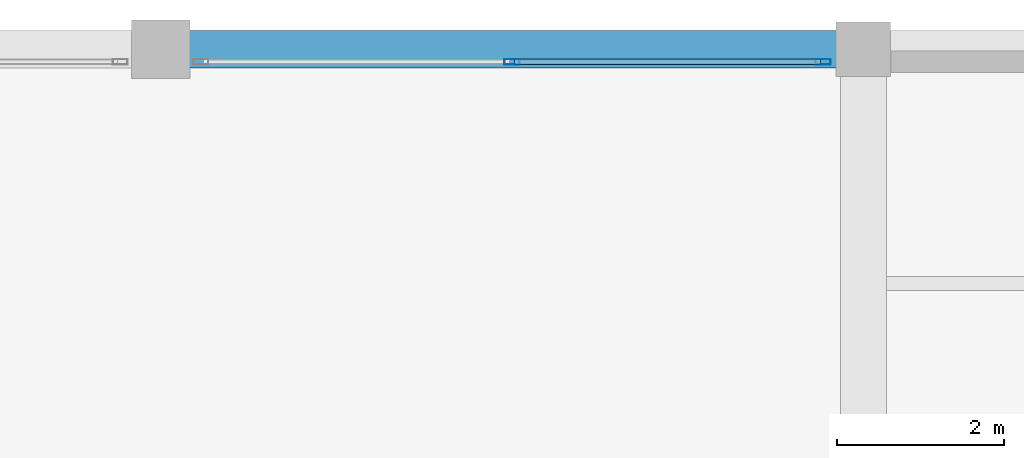
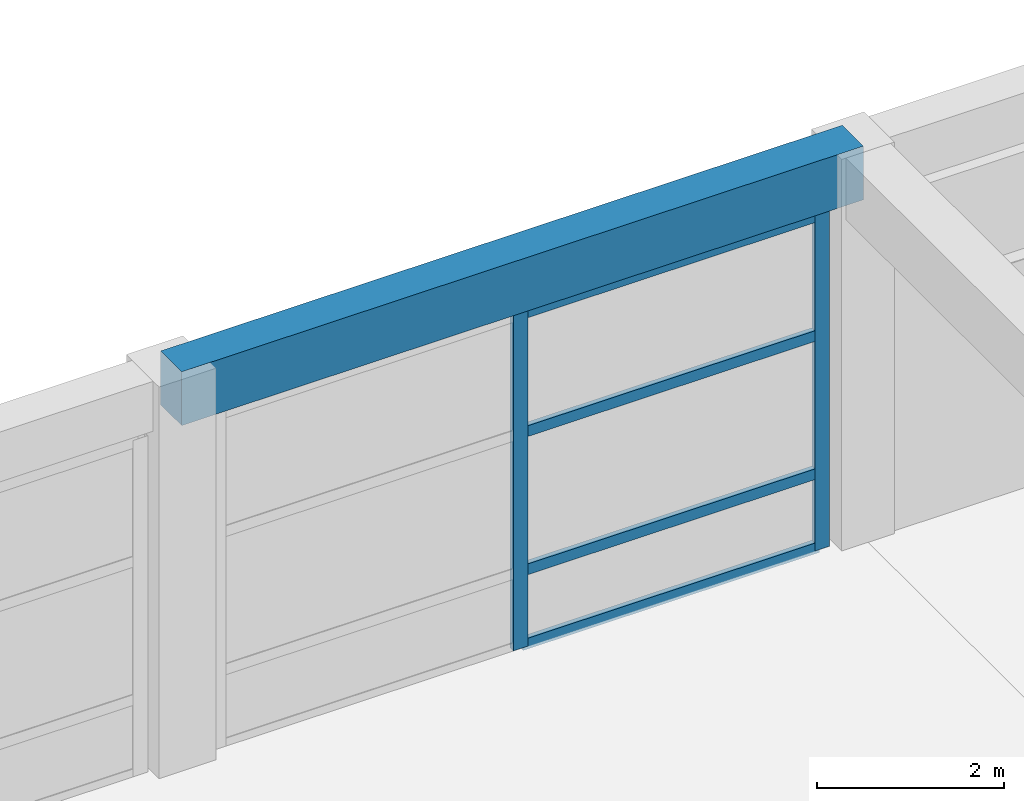
# One storey, part 46 of 95: 6 members, 1 beam, 1 element without a shape of its own.
"""IFC4 building model written with IfcOpenShell, lengths in metres."""

from ifc_helpers import new_model, si_unit, direction, frame, origin, origin_2d, place, context, subcontext, project, spatial, rectangle, hollow_rectangle, extrude, material, material_profile, profile_set, type_object, element, aggregate, save


model = new_model("IFC4")

# Units and contexts
model_context = context("Model", 3, precision=1e-05, world=origin(), true_north=direction((0.0, 1.0)))
body_context = subcontext(model_context, "Body", "Model", "MODEL_VIEW")
ifc_project = project(units=[si_unit("LENGTHUNIT", "METRE"), si_unit("AREAUNIT", "SQUARE_METRE"), si_unit("VOLUMEUNIT", "CUBIC_METRE"), si_unit("PLANEANGLEUNIT", "RADIAN"), si_unit("MASSUNIT", "GRAM", prefix="KILO")], contexts=[model_context])

# Site, building, storey
site_placement = place(None, origin())
site = spatial("IfcSite", under=ifc_project, at=site_placement, CompositionType="ELEMENT")
building_placement = place(site_placement, origin())
building = spatial("IfcBuilding", under=site, at=building_placement, Name="Almacenes y Pasaje Nevantli", CompositionType="ELEMENT")
storey_placement = place(building_placement, frame((0.0, 0.0, 11.39990234375)))
storey = spatial("IfcBuildingStorey", under=building, at=storey_placement, Name="L03", CompositionType="ELEMENT", Elevation=11.39990234375)

# Beam
ifc_material_1 = material(Name="Concrete C35/45", Category="concrete")
ifc_material_profile_1 = material_profile(ifc_material_1, rectangle(XDim=0.449951171875, YDim=0.699951171875, at=origin_2d()), Name="RC-BM-450x700")
ifc_profile_set_1 = profile_set([ifc_material_profile_1], Name="Concrete C35/45")
beam_type = type_object("IfcBeamType", Name="BM-RC-450x700", PredefinedType="SPANDREL", material=ifc_profile_set_1)
beam_placement = place(storey_placement, frame((84.0, 117.60009765625, 4.75), z_axis=(1.0, 0.0, 0.0), x_axis=(0.0, 1.0, 0.0)))
element("IfcBeam", 1, at=beam_placement, inside=storey, type_object=beam_type, Name="L03 East-West Reinforced Concrete Beam #2470", PredefinedType="SPANDREL", context=body_context, shape_type="SweptSolid", body=[
    extrude(rectangle(XDim=0.449951171875, YDim=0.699951171875, at=origin_2d()), origin(), (0.0, 0.0, 1.0), 8.39990234375),
])

# Curtain wall, members
ifc_material_2 = material(Name="Thermally Broken Aluminium and Low-E Glass", Category="aluminium")
curtain_wall_type = type_object("IfcCurtainWallType", Name="CW-STF-ARCADE", PredefinedType="USERDEFINED", material=ifc_material_2)
curtain_wall_placement = place(storey_placement, origin())
curtain_wall = element("IfcCurtainWall", 2, at=curtain_wall_placement, inside=storey, type_object=curtain_wall_type, Name="L03 North Arcade Monumental Portal Curtain Wall Bay 11", ObjectType="STOREFRONT GLAZING", PredefinedType="USERDEFINED")
ifc_material_3 = material(Name="Thermally Broken Anodized Aluminium", Category="aluminium")
ifc_material_profile_2 = material_profile(ifc_material_3, hollow_rectangle(XDim=0.06494140625, YDim=0.179931640625, WallThickness=0.00390625, at=origin_2d()), Name="ALU-MUL-65x180")
ifc_profile_set_2 = profile_set([ifc_material_profile_2], Name="Thermally Broken Anodized Aluminium")
member_type_1 = type_object("IfcMemberType", Name="CW-MUL-200", PredefinedType="MULLION", material=ifc_profile_set_2)
member_1_placement = place(storey_placement, frame((88.199951171875, 117.449951171875, 0.0), z_axis=(0.0, 0.0, 1.0), x_axis=(0.0, 1.0, 0.0)))
member_1 = element("IfcMember", 3, at=member_1_placement, type_object=member_type_1, Name="CW-L03-040 mullion 2", PredefinedType="MULLION", context=body_context, shape_type="SweptSolid", body=[
    extrude(hollow_rectangle(XDim=0.06494140625, YDim=0.179931640625, WallThickness=0.00390625, at=origin_2d()), origin(), (0.0, 0.0, 1.0), 4.380126953125),
])
member_2_placement = place(storey_placement, frame((91.91748046875, 117.449951171875, 0.0), z_axis=(0.0, 0.0, 1.0), x_axis=(0.0, 1.0, 0.0)))
member_2 = element("IfcMember", 4, at=member_2_placement, type_object=member_type_1, Name="CW-L03-040 mullion 3", PredefinedType="MULLION", context=body_context, shape_type="SweptSolid", body=[
    extrude(hollow_rectangle(XDim=0.06494140625, YDim=0.179931640625, WallThickness=0.00390625, at=origin_2d()), origin(), (0.0, 0.0, 1.0), 4.380126953125),
])
ifc_material_4 = material(Name="Thermally Broken Anodized Aluminium", Category="aluminium")
ifc_material_profile_3 = material_profile(ifc_material_4, hollow_rectangle(XDim=0.06494140625, YDim=0.139892578125, WallThickness=0.00390625, at=origin_2d()), Name="ALU-TRN-65x140")
ifc_profile_set_3 = profile_set([ifc_material_profile_3], Name="Thermally Broken Anodized Aluminium")
member_type_2 = type_object("IfcMemberType", Name="CW-TRN-150", PredefinedType="USERDEFINED", material=ifc_profile_set_3)
member_3_placement = place(storey_placement, frame((88.232421875, 117.449951171875, 0.03271484375), z_axis=(1.0, 0.0, 0.0), x_axis=(0.0, 1.0, 0.0)))
member_3 = element("IfcMember", 5, at=member_3_placement, type_object=member_type_2, Name="CW-L03-040 transom 2.1", ObjectType="TRANSOM", PredefinedType="USERDEFINED", context=body_context, shape_type="SweptSolid", body=[
    extrude(hollow_rectangle(XDim=0.06494140625, YDim=0.139892578125, WallThickness=0.00390625, at=origin_2d()), origin(), (0.0, 0.0, 1.0), 3.652587890625),
])
member_4_placement = place(storey_placement, frame((88.232421875, 117.449951171875, 1.0), z_axis=(1.0, 0.0, 0.0), x_axis=(0.0, 1.0, 0.0)))
member_4 = element("IfcMember", 6, at=member_4_placement, type_object=member_type_2, Name="CW-L03-040 transom 2.2", ObjectType="TRANSOM", PredefinedType="USERDEFINED", context=body_context, shape_type="SweptSolid", body=[
    extrude(hollow_rectangle(XDim=0.06494140625, YDim=0.139892578125, WallThickness=0.00390625, at=origin_2d()), origin(), (0.0, 0.0, 1.0), 3.652587890625),
])
member_5_placement = place(storey_placement, frame((88.232421875, 117.449951171875, 2.800048828125), z_axis=(1.0, 0.0, 0.0), x_axis=(0.0, 1.0, 0.0)))
member_5 = element("IfcMember", 7, at=member_5_placement, type_object=member_type_2, Name="CW-L03-040 transom 2.3", ObjectType="TRANSOM", PredefinedType="USERDEFINED", context=body_context, shape_type="SweptSolid", body=[
    extrude(hollow_rectangle(XDim=0.06494140625, YDim=0.139892578125, WallThickness=0.00390625, at=origin_2d()), origin(), (0.0, 0.0, 1.0), 3.652587890625),
])
member_6_placement = place(storey_placement, frame((88.232421875, 117.449951171875, 4.34765625), z_axis=(1.0, 0.0, 0.0), x_axis=(0.0, 1.0, 0.0)))
member_6 = element("IfcMember", 8, at=member_6_placement, type_object=member_type_2, Name="CW-L03-040 transom 2.4", ObjectType="TRANSOM", PredefinedType="USERDEFINED", context=body_context, shape_type="SweptSolid", body=[
    extrude(hollow_rectangle(XDim=0.06494140625, YDim=0.139892578125, WallThickness=0.00390625, at=origin_2d()), origin(), (0.0, 0.0, 1.0), 3.652587890625),
])
aggregate(curtain_wall, [member_1, member_2, member_3, member_4, member_5, member_6])

save(model, "model.ifc")
